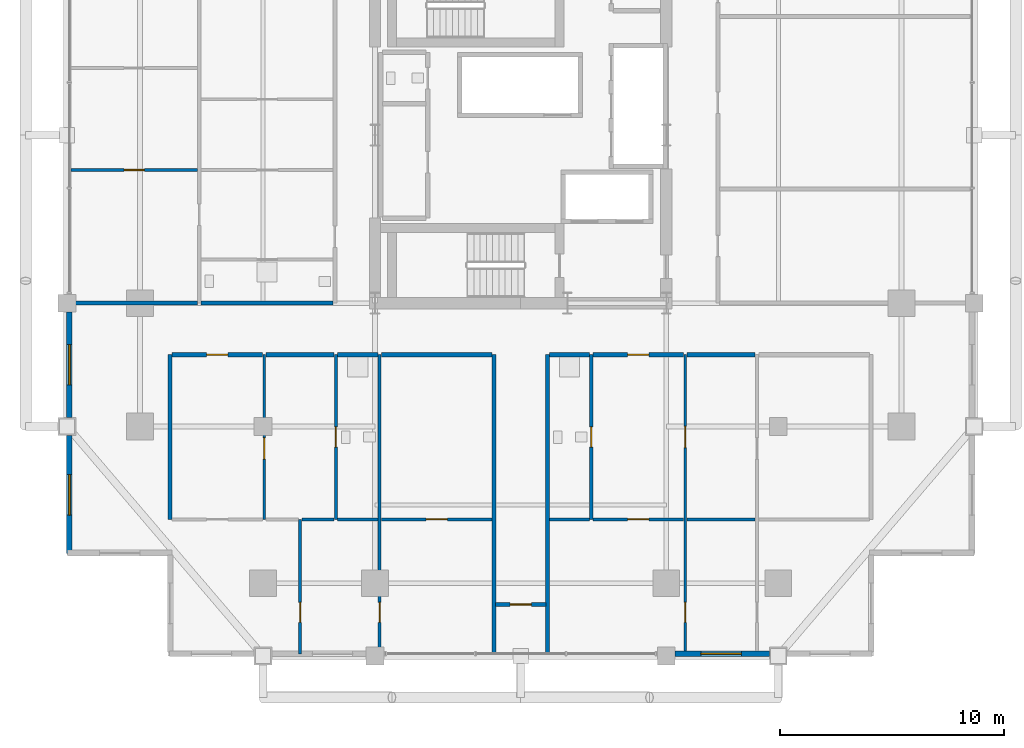
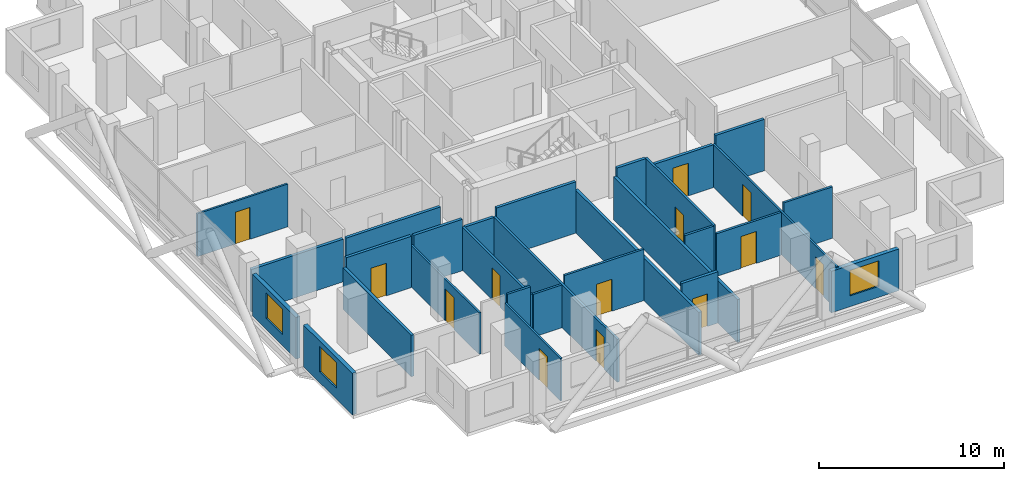
# One storey, part 19 of 25: 29 walls, 13 doors, 3 windows, 16 openings.
"""IFC4 building model written with IfcOpenShell, lengths in metres."""

from ifc_helpers import new_model, si_unit, direction, frame, frame_2d, origin, place, context, subcontext, project, spatial, rectangle, extrude, material, layer, layer_set, type_object, element, fill, save


model = new_model("IFC4")

# Units and contexts
model_context = context("Model", 3, precision=1e-05, world=origin(), true_north=direction((0.0, 1.0)))
body_context = subcontext(model_context, "Body", "Model", "MODEL_VIEW")
ifc_project = project(units=[si_unit("LENGTHUNIT", "METRE"), si_unit("AREAUNIT", "SQUARE_METRE"), si_unit("VOLUMEUNIT", "CUBIC_METRE"), si_unit("PLANEANGLEUNIT", "RADIAN"), si_unit("MASSUNIT", "GRAM", prefix="KILO")], contexts=[model_context])

# Site, building, storey
site_placement = place(None, origin())
site = spatial("IfcSite", under=ifc_project, at=site_placement, CompositionType="ELEMENT")
building_placement = place(site_placement, origin())
building = spatial("IfcBuilding", under=site, at=building_placement, Name="Barlavira Tower and Art Museum", CompositionType="ELEMENT")
storey_placement = place(building_placement, frame((0.0, 0.0, 133.199951171875)))
storey = spatial("IfcBuildingStorey", under=building, at=storey_placement, Name="L33", CompositionType="ELEMENT", Elevation=133.199951171875)

# Wall, opening, door
ifc_material_1 = material(Name="Gypsum acoustic stud partition", Category="gypsum")
ifc_layer_1 = layer(ifc_material_1, 0.1201171875, Name="Gypsum acoustic stud partition")
ifc_layer_set_1 = layer_set([ifc_layer_1], Name="Gypsum acoustic stud partition")
wall_type_1 = type_object("IfcWallType", Name="Apartment Internal Acoustic Partition 120", PredefinedType="PARTITIONING", material=ifc_layer_set_1)
wall_1_placement = place(storey_placement, frame((-11.449951171875, -17.14990234375, 0.0), z_axis=(0.0, 0.0, 1.0), x_axis=(0.0, 1.0, 0.0)))
wall_1 = element("IfcWall", 1, at=wall_1_placement, inside=storey, type_object=wall_type_1, Name="L33 Partition Wall 4", PredefinedType="PARTITIONING", context=body_context, shape_type="SweptSolid", body=[
    extrude(rectangle(XDim=7.349853515625, YDim=0.1201171875, at=frame_2d((3.6748046875, 0.0))), origin(), (0.0, 0.0, 1.0), 2.736083984375),
])
opening_1_placement = place(wall_1_placement, frame((2.686767578125, 0.0, 0.0)))
opening_1 = element("IfcOpeningElement", 2, at=opening_1_placement, cuts=wall_1, Name="Opening D-02", PredefinedType="OPENING", context=body_context, shape_type="SweptSolid", body=[
    extrude(rectangle(XDim=0.949951171875, YDim=2.10009765625, at=frame_2d((0.47509765625, 1.050048828125))), frame((0.0, 0.070068359375, 0.0), z_axis=(0.0, -1.0, 0.0), x_axis=(1.0, 0.0, 0.0)), (0.0, 0.0, 1.0), 0.14013671875),
])
ifc_material_2 = material(Name="Engineered coastal hardwood", Category="wood")
door_type_1 = type_object("IfcDoorType", Name="Living and Salon Glazed-Leaf Door 950x2100", OperationType="NOTDEFINED", PredefinedType="DOOR", material=ifc_material_2)
door_1_placement = place(opening_1_placement, origin())
door_1 = element("IfcDoor", 3, at=door_1_placement, inside=storey, type_object=door_type_1, Name="Apartment SW1 Kitchen Door", OperationType="SINGLE_SWING_LEFT", OverallHeight=2.10009765625, OverallWidth=0.949951171875, PredefinedType="DOOR", context=body_context, shape_type="SweptSolid", body=[
    extrude(rectangle(XDim=0.949951171875, YDim=2.10009765625, at=frame_2d((0.47509765625, 1.050048828125))), frame((0.0, 0.02490234375, 0.0), z_axis=(0.0, -1.0, 0.0), x_axis=(1.0, 0.0, 0.0)), (0.0, 0.0, 1.0), 0.050048828125),
])
fill(opening_1, door_1)

wall_2_placement = place(storey_placement, frame((-9.85009765625, -23.14990234375, 0.0), z_axis=(0.0, 0.0, 1.0), x_axis=(0.0, 1.0, 0.0)))
wall_2 = element("IfcWall", 4, at=wall_2_placement, inside=storey, type_object=wall_type_1, Name="L33 Partition Wall 6", PredefinedType="PARTITIONING", context=body_context, shape_type="SweptSolid", body=[
    extrude(rectangle(XDim=6.0, YDim=0.1201171875, at=frame_2d((3.0, 0.0))), origin(), (0.0, 0.0, 1.0), 2.816162109375),
])
opening_2_placement = place(wall_2_placement, frame((1.39892578125, 0.0, 0.0)))
opening_2 = element("IfcOpeningElement", 5, at=opening_2_placement, cuts=wall_2, Name="Opening D-01", PredefinedType="OPENING", context=body_context, shape_type="SweptSolid", body=[
    extrude(rectangle(XDim=0.89990234375, YDim=2.10009765625, at=frame_2d((0.449951171875, 1.050048828125))), frame((0.0, 0.070068359375, 0.0), z_axis=(0.0, -1.0, 0.0), x_axis=(1.0, 0.0, 0.0)), (0.0, 0.0, 1.0), 0.14013671875),
])
door_type_2 = type_object("IfcDoorType", Name="Internal Bedroom Timber Flush Door 900x2100", OperationType="NOTDEFINED", PredefinedType="DOOR", material=ifc_material_2)
door_2_placement = place(opening_2_placement, origin())
door_2 = element("IfcDoor", 6, at=door_2_placement, inside=storey, type_object=door_type_2, Name="Apartment SW1 Bedroom 1 Door", OperationType="SINGLE_SWING_LEFT", OverallHeight=2.10009765625, OverallWidth=0.89990234375, PredefinedType="DOOR", context=body_context, shape_type="SweptSolid", body=[
    extrude(rectangle(XDim=0.89990234375, YDim=2.10009765625, at=frame_2d((0.449951171875, 1.050048828125))), frame((0.0, 0.02490234375, 0.0), z_axis=(0.0, -1.0, 0.0), x_axis=(1.0, 0.0, 0.0)), (0.0, 0.0, 1.0), 0.050048828125),
])
fill(opening_2, door_2)

# Wall, openings, doors
wall_3_placement = place(storey_placement, frame((7.35009765625, -23.14990234375, 0.0), z_axis=(0.0, 0.0, 1.0), x_axis=(0.0, 1.0, 0.0)))
wall_3 = element("IfcWall", 7, at=wall_3_placement, inside=storey, type_object=wall_type_1, Name="L33 Partition Wall 22", PredefinedType="PARTITIONING", context=body_context, shape_type="SweptSolid", body=[
    extrude(rectangle(XDim=13.349853515625, YDim=0.1201171875, at=frame_2d((6.6748046875, 0.0))), origin(), (0.0, 0.0, 1.0), 2.816162109375),
])
opening_3_placement = place(wall_3_placement, frame((9.205078125, 0.0, 0.0)))
opening_3 = element("IfcOpeningElement", 8, at=opening_3_placement, cuts=wall_3, Name="Opening D-02", PredefinedType="OPENING", context=body_context, shape_type="SweptSolid", body=[
    extrude(rectangle(XDim=0.949951171875, YDim=2.10009765625, at=frame_2d((0.47509765625, 1.050048828125))), frame((0.0, 0.070068359375, 0.0), z_axis=(0.0, -1.0, 0.0), x_axis=(1.0, 0.0, 0.0)), (0.0, 0.0, 1.0), 0.14013671875),
])
opening_4_placement = place(wall_3_placement, frame((1.39892578125, 0.0, 0.0)))
opening_4 = element("IfcOpeningElement", 9, at=opening_4_placement, cuts=wall_3, Name="Opening D-01", PredefinedType="OPENING", context=body_context, shape_type="SweptSolid", body=[
    extrude(rectangle(XDim=0.89990234375, YDim=2.10009765625, at=frame_2d((0.449951171875, 1.050048828125))), frame((0.0, 0.070068359375, 0.0), z_axis=(0.0, -1.0, 0.0), x_axis=(1.0, 0.0, 0.0)), (0.0, 0.0, 1.0), 0.14013671875),
])
door_3_placement = place(opening_4_placement, origin())
door_3 = element("IfcDoor", 10, at=door_3_placement, inside=storey, type_object=door_type_2, Name="Apartment SE1 Bedroom 1 Door", OperationType="SINGLE_SWING_RIGHT", OverallHeight=2.10009765625, OverallWidth=0.89990234375, PredefinedType="DOOR", context=body_context, shape_type="SweptSolid", body=[
    extrude(rectangle(XDim=0.89990234375, YDim=2.10009765625, at=frame_2d((0.449951171875, 1.050048828125))), frame((0.0, 0.02490234375, 0.0), z_axis=(0.0, -1.0, 0.0), x_axis=(1.0, 0.0, 0.0)), (0.0, 0.0, 1.0), 0.050048828125),
])
fill(opening_4, door_3)
door_4_placement = place(opening_3_placement, origin())
door_4 = element("IfcDoor", 11, at=door_4_placement, inside=storey, type_object=door_type_1, Name="Apartment SE1 Kitchen Door", OperationType="SINGLE_SWING_LEFT", OverallHeight=2.10009765625, OverallWidth=0.949951171875, PredefinedType="DOOR", context=body_context, shape_type="SweptSolid", body=[
    extrude(rectangle(XDim=0.949951171875, YDim=2.10009765625, at=frame_2d((0.47509765625, 1.050048828125))), frame((0.0, 0.02490234375, 0.0), z_axis=(0.0, -1.0, 0.0), x_axis=(1.0, 0.0, 0.0)), (0.0, 0.0, 1.0), 0.050048828125),
])
fill(opening_3, door_4)

# Wall, opening, door
wall_4_placement = place(storey_placement, frame((-20.070068359375, -1.550048828125, 0.0), z_axis=(0.0, 0.0, 1.0), x_axis=(1.0, 0.0, 0.0)))
wall_4 = element("IfcWall", 12, at=wall_4_placement, inside=storey, type_object=wall_type_1, Name="L33 Partition Wall 53", PredefinedType="PARTITIONING", context=body_context, shape_type="SweptSolid", body=[
    extrude(rectangle(XDim=5.64013671875, YDim=0.1201171875, at=frame_2d((2.820068359375, 0.0))), origin(), (0.0, 0.0, 1.0), 2.816162109375),
])
opening_5_placement = place(wall_4_placement, frame((2.3701171875, 0.0, 0.0)))
opening_5 = element("IfcOpeningElement", 13, at=opening_5_placement, cuts=wall_4, Name="Opening D-01", PredefinedType="OPENING", context=body_context, shape_type="SweptSolid", body=[
    extrude(rectangle(XDim=0.89990234375, YDim=2.10009765625, at=frame_2d((0.449951171875, 1.050048828125))), frame((0.0, 0.070068359375, 0.0), z_axis=(0.0, -1.0, 0.0), x_axis=(1.0, 0.0, 0.0)), (0.0, 0.0, 1.0), 0.14013671875),
])
door_5_placement = place(opening_5_placement, origin())
door_5 = element("IfcDoor", 14, at=door_5_placement, inside=storey, type_object=door_type_2, Name="Apartment W1 Bedroom 1 Door", OperationType="SINGLE_SWING_RIGHT", OverallHeight=2.10009765625, OverallWidth=0.89990234375, PredefinedType="DOOR", context=body_context, shape_type="SweptSolid", body=[
    extrude(rectangle(XDim=0.89990234375, YDim=2.10009765625, at=frame_2d((0.449951171875, 1.050048828125))), frame((0.0, 0.02490234375, 0.0), z_axis=(0.0, -1.0, 0.0), x_axis=(1.0, 0.0, 0.0)), (0.0, 0.0, 1.0), 0.050048828125),
])
fill(opening_5, door_5)

# Walls
ifc_layer_2 = layer(ifc_material_1, 0.179931640625, Name="Gypsum acoustic stud partition")
ifc_layer_set_2 = layer_set([ifc_layer_2], Name="Gypsum acoustic stud partition")
wall_type_2 = type_object("IfcWallType", Name="Inter-Tenancy Party Partition Wall 180", PredefinedType="PARTITIONING", material=ifc_layer_set_2)
wall_5_placement = place(storey_placement, frame((-15.64990234375, -17.14990234375, 0.0), z_axis=(0.0, 0.0, 1.0), x_axis=(0.0, 1.0, 0.0)))
element("IfcWall", 15, at=wall_5_placement, inside=storey, type_object=wall_type_2, Name="L33 Partition Wall 1", PredefinedType="PARTITIONING", context=body_context, shape_type="SweptSolid", body=[
    extrude(rectangle(XDim=7.349853515625, YDim=0.179931640625, at=frame_2d((3.6748046875, 0.0))), origin(), (0.0, 0.0, 1.0), 2.736083984375),
])
for number, where, z_axis, x_axis, name in (
    (16, (-1.199951171875, -23.14990234375, 0.0), (0.0, 0.0, 1.0), (0.0, 1.0, 0.0), "L33 Partition Wall 15"),
    (17, (1.199951171875, -23.14990234375, 0.0), (0.0, 0.0, 1.0), (0.0, 1.0, 0.0), "L33 Partition Wall 17"),
):
    element("IfcWall", number, at=place(storey_placement, frame(where, z_axis=z_axis, x_axis=x_axis)), inside=storey, type_object=wall_type_2, Name=name, PredefinedType="PARTITIONING", context=body_context, shape_type="SweptSolid", body=[
        extrude(rectangle(XDim=13.349853515625, YDim=0.179931640625, at=frame_2d((6.6748046875, 0.0))), origin(), (0.0, 0.0, 1.0), 2.816162109375),
    ])

# Wall, opening, door
wall_6_placement = place(storey_placement, frame((-1.1201171875, -20.949951171875, 0.0), z_axis=(0.0, 0.0, 1.0), x_axis=(1.0, 0.0, 0.0)))
wall_6 = element("IfcWall", 18, at=wall_6_placement, inside=storey, type_object=wall_type_2, Name="L33 Partition Wall 29", PredefinedType="PARTITIONING", context=body_context, shape_type="SweptSolid", body=[
    extrude(rectangle(XDim=2.240234375, YDim=0.179931640625, at=frame_2d((1.1201171875, 0.0))), origin(), (0.0, 0.0, 1.0), 3.380126953125),
])
opening_6_placement = place(wall_6_placement, frame((0.64501953125, 0.0, 0.0)))
opening_6 = element("IfcOpeningElement", 19, at=opening_6_placement, cuts=wall_6, Name="Opening FD-60", PredefinedType="OPENING", context=body_context, shape_type="SweptSolid", body=[
    extrude(rectangle(XDim=0.949951171875, YDim=2.14990234375, at=frame_2d((0.47509765625, 1.074951171875))), frame((0.0, 0.10009765625, 0.0), z_axis=(0.0, -1.0, 0.0), x_axis=(1.0, 0.0, 0.0)), (0.0, 0.0, 1.0), 0.199951171875),
])
ifc_material_3 = material(Name="Brushed stainless steel", Category="steel")
door_type_3 = type_object("IfcDoorType", Name="Apartment Entrance and Riser Fire Door 950x2150 FD60S", OperationType="NOTDEFINED", PredefinedType="DOOR", material=ifc_material_3)
door_6_placement = place(opening_6_placement, origin())
door_6 = element("IfcDoor", 20, at=door_6_placement, inside=storey, type_object=door_type_3, Name="L33 South Horizon Reading Alcove Door", OperationType="SINGLE_SWING_LEFT", OverallHeight=2.14990234375, OverallWidth=0.949951171875, PredefinedType="DOOR", context=body_context, shape_type="SweptSolid", body=[
    extrude(rectangle(XDim=0.949951171875, YDim=2.14990234375, at=frame_2d((0.47509765625, 1.074951171875))), frame((0.0, 0.02490234375, 0.0), z_axis=(0.0, -1.0, 0.0), x_axis=(1.0, 0.0, 0.0)), (0.0, 0.0, 1.0), 0.050048828125),
])
fill(opening_6, door_6)

wall_7_placement = place(storey_placement, frame((-15.570068359375, -9.800048828125, 0.0), z_axis=(0.0, 0.0, 1.0), x_axis=(1.0, 0.0, 0.0)))
wall_7 = element("IfcWall", 21, at=wall_7_placement, inside=storey, type_object=wall_type_2, Name="L33 Partition Wall 39", PredefinedType="PARTITIONING", context=body_context, shape_type="SweptSolid", body=[
    extrude(rectangle(XDim=4.0400390625, YDim=0.179931640625, at=frame_2d((2.02001953125, 0.0))), origin(), (0.0, 0.0, 1.0), 3.380126953125),
])
opening_7_placement = place(wall_7_placement, frame((1.544921875, 0.0, 0.0)))
opening_7 = element("IfcOpeningElement", 22, at=opening_7_placement, cuts=wall_7, Name="Opening FD-60", PredefinedType="OPENING", context=body_context, shape_type="SweptSolid", body=[
    extrude(rectangle(XDim=0.949951171875, YDim=2.14990234375, at=frame_2d((0.47509765625, 1.074951171875))), frame((0.0, 0.10009765625, 0.0), z_axis=(0.0, -1.0, 0.0), x_axis=(1.0, 0.0, 0.0)), (0.0, 0.0, 1.0), 0.199951171875),
])
door_7_placement = place(opening_7_placement, origin())
door_7 = element("IfcDoor", 23, at=door_7_placement, inside=storey, type_object=door_type_3, Name="Apartment Entrance Hall SW1 Door", OperationType="SINGLE_SWING_RIGHT", OverallHeight=2.14990234375, OverallWidth=0.949951171875, PredefinedType="DOOR", context=body_context, shape_type="SweptSolid", body=[
    extrude(rectangle(XDim=0.949951171875, YDim=2.14990234375, at=frame_2d((0.47509765625, 1.074951171875))), frame((0.0, 0.02490234375, 0.0), z_axis=(0.0, -1.0, 0.0), x_axis=(1.0, 0.0, 0.0)), (0.0, 0.0, 1.0), 0.050048828125),
])
fill(opening_7, door_7)

# Walls
wall_8_placement = place(storey_placement, frame((-11.3701171875, -9.800048828125, 0.0), z_axis=(0.0, 0.0, 1.0), x_axis=(1.0, 0.0, 0.0)))
element("IfcWall", 24, at=wall_8_placement, inside=storey, type_object=wall_type_2, Name="L33 Partition Wall 40", PredefinedType="PARTITIONING", context=body_context, shape_type="SweptSolid", body=[
    extrude(rectangle(XDim=3.0400390625, YDim=0.179931640625, at=frame_2d((1.52001953125, 0.0))), origin(), (0.0, 0.0, 1.0), 3.380126953125),
])
wall_9_placement = place(storey_placement, frame((-8.169921875, -9.800048828125, 0.0), z_axis=(0.0, 0.0, 1.0), x_axis=(1.0, 0.0, 0.0)))
element("IfcWall", 25, at=wall_9_placement, inside=storey, type_object=wall_type_2, Name="L33 Partition Wall 41", PredefinedType="PARTITIONING", context=body_context, shape_type="SweptSolid", body=[
    extrude(rectangle(XDim=1.7900390625, YDim=0.179931640625, at=frame_2d((0.89501953125, 0.0))), origin(), (0.0, 0.0, 1.0), 2.816162109375),
])
wall_10_placement = place(storey_placement, frame((-6.219970703125, -9.800048828125, 0.0), z_axis=(0.0, 0.0, 1.0), x_axis=(1.0, 0.0, 0.0)))
element("IfcWall", 26, at=wall_10_placement, inside=storey, type_object=wall_type_2, Name="L33 Partition Wall 42", PredefinedType="PARTITIONING", context=body_context, shape_type="SweptSolid", body=[
    extrude(rectangle(XDim=4.93994140625, YDim=0.179931640625, at=frame_2d((2.469970703125, 0.0))), origin(), (0.0, 0.0, 1.0), 3.380126953125),
])
wall_11_placement = place(storey_placement, frame((1.280029296875, -9.800048828125, 0.0), z_axis=(0.0, 0.0, 1.0), x_axis=(1.0, 0.0, 0.0)))
element("IfcWall", 27, at=wall_11_placement, inside=storey, type_object=wall_type_2, Name="L33 Partition Wall 43", PredefinedType="PARTITIONING", context=body_context, shape_type="SweptSolid", body=[
    extrude(rectangle(XDim=1.7900390625, YDim=0.179931640625, at=frame_2d((0.89501953125, 0.0))), origin(), (0.0, 0.0, 1.0), 3.380126953125),
])

# Wall, opening, door
wall_12_placement = place(storey_placement, frame((3.22998046875, -9.800048828125, 0.0), z_axis=(0.0, 0.0, 1.0), x_axis=(1.0, 0.0, 0.0)))
wall_12 = element("IfcWall", 28, at=wall_12_placement, inside=storey, type_object=wall_type_2, Name="L33 Partition Wall 44", PredefinedType="PARTITIONING", context=body_context, shape_type="SweptSolid", body=[
    extrude(rectangle(XDim=4.0400390625, YDim=0.179931640625, at=frame_2d((2.02001953125, 0.0))), origin(), (0.0, 0.0, 1.0), 2.816162109375),
])
opening_8_placement = place(wall_12_placement, frame((1.544921875, 0.0, 0.0)))
opening_8 = element("IfcOpeningElement", 29, at=opening_8_placement, cuts=wall_12, Name="Opening FD-60", PredefinedType="OPENING", context=body_context, shape_type="SweptSolid", body=[
    extrude(rectangle(XDim=0.949951171875, YDim=2.14990234375, at=frame_2d((0.47509765625, 1.074951171875))), frame((0.0, 0.10009765625, 0.0), z_axis=(0.0, -1.0, 0.0), x_axis=(1.0, 0.0, 0.0)), (0.0, 0.0, 1.0), 0.199951171875),
])
door_8_placement = place(opening_8_placement, origin())
door_8 = element("IfcDoor", 30, at=door_8_placement, inside=storey, type_object=door_type_3, Name="Apartment Entrance Hall SE1 Door", OperationType="SINGLE_SWING_RIGHT", OverallHeight=2.14990234375, OverallWidth=0.949951171875, PredefinedType="DOOR", context=body_context, shape_type="SweptSolid", body=[
    extrude(rectangle(XDim=0.949951171875, YDim=2.14990234375, at=frame_2d((0.47509765625, 1.074951171875))), frame((0.0, 0.02490234375, 0.0), z_axis=(0.0, -1.0, 0.0), x_axis=(1.0, 0.0, 0.0)), (0.0, 0.0, 1.0), 0.050048828125),
])
fill(opening_8, door_8)

# Walls
wall_13_placement = place(storey_placement, frame((7.429931640625, -9.800048828125, 0.0), z_axis=(0.0, 0.0, 1.0), x_axis=(1.0, 0.0, 0.0)))
element("IfcWall", 31, at=wall_13_placement, inside=storey, type_object=wall_type_2, Name="L33 Partition Wall 45", PredefinedType="PARTITIONING", context=body_context, shape_type="SweptSolid", body=[
    extrude(rectangle(XDim=3.0400390625, YDim=0.179931640625, at=frame_2d((1.52001953125, 0.0))), origin(), (0.0, 0.0, 1.0), 3.380126953125),
])
wall_14_placement = place(storey_placement, frame((-20.14990234375, -7.5, 0.0), z_axis=(0.0, 0.0, 1.0), x_axis=(1.0, 0.0, 0.0)))
element("IfcWall", 32, at=wall_14_placement, inside=storey, type_object=wall_type_2, Name="L33 Partition Wall 47", PredefinedType="PARTITIONING", context=body_context, shape_type="SweptSolid", body=[
    extrude(rectangle(XDim=5.719970703125, YDim=0.179931640625, at=frame_2d((2.85986328125, 0.0))), origin(), (0.0, 0.0, 1.0), 2.816162109375),
])
wall_15_placement = place(storey_placement, frame((-14.27001953125, -7.5, 0.0), z_axis=(0.0, 0.0, 1.0), x_axis=(1.0, 0.0, 0.0)))
element("IfcWall", 33, at=wall_15_placement, inside=storey, type_object=wall_type_2, Name="L33 Partition Wall 48", PredefinedType="PARTITIONING", context=body_context, shape_type="SweptSolid", body=[
    extrude(rectangle(XDim=5.89013671875, YDim=0.179931640625, at=frame_2d((2.945068359375, 0.0))), origin(), (0.0, 0.0, 1.0), 2.816162109375),
])

# Wall, opening, door
ifc_layer_3 = layer(ifc_material_1, 0.139892578125, Name="Gypsum acoustic stud partition")
ifc_layer_set_3 = layer_set([ifc_layer_3], Name="Gypsum acoustic stud partition")
wall_type_3 = type_object("IfcWallType", Name="Moisture-Resistant Bathroom Partition 140", PredefinedType="PARTITIONING", material=ifc_layer_set_3)
wall_16_placement = place(storey_placement, frame((-8.25, -17.14990234375, 0.0), z_axis=(0.0, 0.0, 1.0), x_axis=(0.0, 1.0, 0.0)))
wall_16 = element("IfcWall", 34, at=wall_16_placement, inside=storey, type_object=wall_type_3, Name="L33 Partition Wall 9", PredefinedType="PARTITIONING", context=body_context, shape_type="SweptSolid", body=[
    extrude(rectangle(XDim=7.349853515625, YDim=0.139892578125, at=frame_2d((3.6748046875, 0.0))), origin(), (0.0, 0.0, 1.0), 2.816162109375),
])
opening_9_placement = place(wall_16_placement, frame((3.22998046875, 0.0, 0.0)))
opening_9 = element("IfcOpeningElement", 35, at=opening_9_placement, cuts=wall_16, Name="Opening D-WC", PredefinedType="OPENING", context=body_context, shape_type="SweptSolid", body=[
    extrude(rectangle(XDim=0.89990234375, YDim=2.10009765625, at=frame_2d((0.449951171875, 1.050048828125))), frame((0.0, 0.080078125, 0.0), z_axis=(0.0, -1.0, 0.0), x_axis=(1.0, 0.0, 0.0)), (0.0, 0.0, 1.0), 0.159912109375),
])
door_type_4 = type_object("IfcDoorType", Name="Accessible Bathroom Flush Door 900x2100", OperationType="NOTDEFINED", PredefinedType="DOOR", material=ifc_material_2)
door_9_placement = place(opening_9_placement, origin())
door_9 = element("IfcDoor", 36, at=door_9_placement, inside=storey, type_object=door_type_4, Name="Apartment SW1 Hall Bathroom Door", OperationType="SINGLE_SWING_RIGHT", OverallHeight=2.10009765625, OverallWidth=0.89990234375, PredefinedType="DOOR", context=body_context, shape_type="SweptSolid", body=[
    extrude(rectangle(XDim=0.89990234375, YDim=2.10009765625, at=frame_2d((0.449951171875, 1.050048828125))), frame((0.0, 0.02490234375, 0.0), z_axis=(0.0, -1.0, 0.0), x_axis=(1.0, 0.0, 0.0)), (0.0, 0.0, 1.0), 0.050048828125),
])
fill(opening_9, door_9)

wall_17_placement = place(storey_placement, frame((-6.300048828125, -23.14990234375, 0.0), z_axis=(0.0, 0.0, 1.0), x_axis=(0.0, 1.0, 0.0)))
wall_17 = element("IfcWall", 37, at=wall_17_placement, inside=storey, type_object=wall_type_3, Name="L33 Partition Wall 11", PredefinedType="PARTITIONING", context=body_context, shape_type="SweptSolid", body=[
    extrude(rectangle(XDim=13.349853515625, YDim=0.139892578125, at=frame_2d((6.6748046875, 0.0))), origin(), (0.0, 0.0, 1.0), 2.816162109375),
])
opening_10_placement = place(wall_17_placement, frame((1.39892578125, 0.0, 0.0)))
opening_10 = element("IfcOpeningElement", 38, at=opening_10_placement, cuts=wall_17, Name="Opening D-01", PredefinedType="OPENING", context=body_context, shape_type="SweptSolid", body=[
    extrude(rectangle(XDim=0.89990234375, YDim=2.10009765625, at=frame_2d((0.449951171875, 1.050048828125))), frame((0.0, 0.080078125, 0.0), z_axis=(0.0, -1.0, 0.0), x_axis=(1.0, 0.0, 0.0)), (0.0, 0.0, 1.0), 0.159912109375),
])
door_10_placement = place(opening_10_placement, origin())
door_10 = element("IfcDoor", 39, at=door_10_placement, inside=storey, type_object=door_type_2, Name="Apartment SW1 Bedroom 2 Door", OperationType="SINGLE_SWING_RIGHT", OverallHeight=2.10009765625, OverallWidth=0.89990234375, PredefinedType="DOOR", context=body_context, shape_type="SweptSolid", body=[
    extrude(rectangle(XDim=0.89990234375, YDim=2.10009765625, at=frame_2d((0.449951171875, 1.050048828125))), frame((0.0, 0.02490234375, 0.0), z_axis=(0.0, -1.0, 0.0), x_axis=(1.0, 0.0, 0.0)), (0.0, 0.0, 1.0), 0.050048828125),
])
fill(opening_10, door_10)

wall_18_placement = place(storey_placement, frame((3.14990234375, -17.14990234375, 0.0), z_axis=(0.0, 0.0, 1.0), x_axis=(0.0, 1.0, 0.0)))
wall_18 = element("IfcWall", 40, at=wall_18_placement, inside=storey, type_object=wall_type_3, Name="L33 Partition Wall 19", PredefinedType="PARTITIONING", context=body_context, shape_type="SweptSolid", body=[
    extrude(rectangle(XDim=7.349853515625, YDim=0.139892578125, at=frame_2d((3.6748046875, 0.0))), origin(), (0.0, 0.0, 1.0), 3.380126953125),
])
opening_11_placement = place(wall_18_placement, frame((3.22998046875, 0.0, 0.0)))
opening_11 = element("IfcOpeningElement", 41, at=opening_11_placement, cuts=wall_18, Name="Opening D-WC", PredefinedType="OPENING", context=body_context, shape_type="SweptSolid", body=[
    extrude(rectangle(XDim=0.89990234375, YDim=2.10009765625, at=frame_2d((0.449951171875, 1.050048828125))), frame((0.0, 0.080078125, 0.0), z_axis=(0.0, -1.0, 0.0), x_axis=(1.0, 0.0, 0.0)), (0.0, 0.0, 1.0), 0.159912109375),
])
door_11_placement = place(opening_11_placement, origin())
door_11 = element("IfcDoor", 42, at=door_11_placement, inside=storey, type_object=door_type_4, Name="Apartment SE1 Hall Bathroom Door", OperationType="SINGLE_SWING_LEFT", OverallHeight=2.10009765625, OverallWidth=0.89990234375, PredefinedType="DOOR", context=body_context, shape_type="SweptSolid", body=[
    extrude(rectangle(XDim=0.89990234375, YDim=2.10009765625, at=frame_2d((0.449951171875, 1.050048828125))), frame((0.0, 0.02490234375, 0.0), z_axis=(0.0, -1.0, 0.0), x_axis=(1.0, 0.0, 0.0)), (0.0, 0.0, 1.0), 0.050048828125),
])
fill(opening_11, door_11)

# Walls
wall_19_placement = place(storey_placement, frame((-9.77001953125, -17.14990234375, 0.0), z_axis=(0.0, 0.0, 1.0), x_axis=(1.0, 0.0, 0.0)))
element("IfcWall", 43, at=wall_19_placement, inside=storey, type_object=wall_type_3, Name="L33 Partition Wall 32", PredefinedType="PARTITIONING", context=body_context, shape_type="SweptSolid", body=[
    extrude(rectangle(XDim=1.43994140625, YDim=0.139892578125, at=frame_2d((0.719970703125, 0.0))), origin(), (0.0, 0.0, 1.0), 3.380126953125),
])
wall_20_placement = place(storey_placement, frame((-8.169921875, -17.14990234375, 0.0), z_axis=(0.0, 0.0, 1.0), x_axis=(1.0, 0.0, 0.0)))
element("IfcWall", 44, at=wall_20_placement, inside=storey, type_object=wall_type_3, Name="L33 Partition Wall 33", PredefinedType="PARTITIONING", context=body_context, shape_type="SweptSolid", body=[
    extrude(rectangle(XDim=1.7900390625, YDim=0.139892578125, at=frame_2d((0.89501953125, 0.0))), origin(), (0.0, 0.0, 1.0), 2.816162109375),
])

# Wall, opening, door
wall_21_placement = place(storey_placement, frame((-6.219970703125, -17.14990234375, 0.0), z_axis=(0.0, 0.0, 1.0), x_axis=(1.0, 0.0, 0.0)))
wall_21 = element("IfcWall", 45, at=wall_21_placement, inside=storey, type_object=wall_type_3, Name="L33 Partition Wall 34", PredefinedType="PARTITIONING", context=body_context, shape_type="SweptSolid", body=[
    extrude(rectangle(XDim=4.93994140625, YDim=0.139892578125, at=frame_2d((2.469970703125, 0.0))), origin(), (0.0, 0.0, 1.0), 3.380126953125),
])
opening_12_placement = place(wall_21_placement, frame((1.9951171875, 0.0, 0.0)))
opening_12 = element("IfcOpeningElement", 46, at=opening_12_placement, cuts=wall_21, Name="Opening D-02", PredefinedType="OPENING", context=body_context, shape_type="SweptSolid", body=[
    extrude(rectangle(XDim=0.949951171875, YDim=2.10009765625, at=frame_2d((0.47509765625, 1.050048828125))), frame((0.0, 0.080078125, 0.0), z_axis=(0.0, -1.0, 0.0), x_axis=(1.0, 0.0, 0.0)), (0.0, 0.0, 1.0), 0.159912109375),
])
door_12_placement = place(opening_12_placement, origin())
door_12 = element("IfcDoor", 47, at=door_12_placement, inside=storey, type_object=door_type_1, Name="Apartment SW1 Dining Salon Door", OperationType="SINGLE_SWING_LEFT", OverallHeight=2.10009765625, OverallWidth=0.949951171875, PredefinedType="DOOR", context=body_context, shape_type="SweptSolid", body=[
    extrude(rectangle(XDim=0.949951171875, YDim=2.10009765625, at=frame_2d((0.47509765625, 1.050048828125))), frame((0.0, 0.02490234375, 0.0), z_axis=(0.0, -1.0, 0.0), x_axis=(1.0, 0.0, 0.0)), (0.0, 0.0, 1.0), 0.050048828125),
])
fill(opening_12, door_12)

# Wall
wall_22_placement = place(storey_placement, frame((1.280029296875, -17.14990234375, 0.0), z_axis=(0.0, 0.0, 1.0), x_axis=(1.0, 0.0, 0.0)))
element("IfcWall", 48, at=wall_22_placement, inside=storey, type_object=wall_type_3, Name="L33 Partition Wall 35", PredefinedType="PARTITIONING", context=body_context, shape_type="SweptSolid", body=[
    extrude(rectangle(XDim=1.7900390625, YDim=0.139892578125, at=frame_2d((0.89501953125, 0.0))), origin(), (0.0, 0.0, 1.0), 3.380126953125),
])

# Wall, opening, door
wall_23_placement = place(storey_placement, frame((3.22998046875, -17.14990234375, 0.0), z_axis=(0.0, 0.0, 1.0), x_axis=(1.0, 0.0, 0.0)))
wall_23 = element("IfcWall", 49, at=wall_23_placement, inside=storey, type_object=wall_type_3, Name="L33 Partition Wall 36", PredefinedType="PARTITIONING", context=body_context, shape_type="SweptSolid", body=[
    extrude(rectangle(XDim=4.0400390625, YDim=0.139892578125, at=frame_2d((2.02001953125, 0.0))), origin(), (0.0, 0.0, 1.0), 2.816162109375),
])
opening_13_placement = place(wall_23_placement, frame((1.544921875, 0.0, 0.0)))
opening_13 = element("IfcOpeningElement", 50, at=opening_13_placement, cuts=wall_23, Name="Opening D-02", PredefinedType="OPENING", context=body_context, shape_type="SweptSolid", body=[
    extrude(rectangle(XDim=0.949951171875, YDim=2.10009765625, at=frame_2d((0.47509765625, 1.050048828125))), frame((0.0, 0.080078125, 0.0), z_axis=(0.0, -1.0, 0.0), x_axis=(1.0, 0.0, 0.0)), (0.0, 0.0, 1.0), 0.159912109375),
])
door_13_placement = place(opening_13_placement, origin())
door_13 = element("IfcDoor", 51, at=door_13_placement, inside=storey, type_object=door_type_1, Name="Apartment SE1 Living Lounge Door", OperationType="SINGLE_SWING_LEFT", OverallHeight=2.10009765625, OverallWidth=0.949951171875, PredefinedType="DOOR", context=body_context, shape_type="SweptSolid", body=[
    extrude(rectangle(XDim=0.949951171875, YDim=2.10009765625, at=frame_2d((0.47509765625, 1.050048828125))), frame((0.0, 0.02490234375, 0.0), z_axis=(0.0, -1.0, 0.0), x_axis=(1.0, 0.0, 0.0)), (0.0, 0.0, 1.0), 0.050048828125),
])
fill(opening_13, door_13)

# Wall
wall_24_placement = place(storey_placement, frame((7.429931640625, -17.14990234375, 0.0), z_axis=(0.0, 0.0, 1.0), x_axis=(1.0, 0.0, 0.0)))
element("IfcWall", 52, at=wall_24_placement, inside=storey, type_object=wall_type_3, Name="L33 Partition Wall 37", PredefinedType="PARTITIONING", context=body_context, shape_type="SweptSolid", body=[
    extrude(rectangle(XDim=3.0400390625, YDim=0.139892578125, at=frame_2d((1.52001953125, 0.0))), origin(), (0.0, 0.0, 1.0), 3.380126953125),
])

# Wall, opening, window
ifc_material_4 = material(Name="Precast concrete C40", Category="concrete")
ifc_layer_4 = layer(ifc_material_4, 0.25, Name="Precast concrete C40")
ifc_layer_set_4 = layer_set([ifc_layer_4], Name="Precast concrete C40")
wall_type_4 = type_object("IfcWallType", Name="Notched Corner Spandrel Wall 250 Precast Concrete C40", PredefinedType="SOLIDWALL", material=ifc_layer_set_4)
wall_25_placement = place(storey_placement, frame((6.89501953125, -23.14990234375, 0.0), z_axis=(0.0, 0.0, 1.0), x_axis=(1.0, 0.0, 0.0)))
wall_25 = element("IfcWall", 53, at=wall_25_placement, inside=storey, type_object=wall_type_4, Name="L33 Coastal Facade Pier Wall CW2-L33-S-4", PredefinedType="SOLIDWALL", context=body_context, shape_type="SweptSolid", body=[
    extrude(rectangle(XDim=4.2099609375, YDim=0.25, at=frame_2d((2.10498046875, 0.0))), origin(), (0.0, 0.0, 1.0), 2.736083984375),
])
opening_14_placement = place(wall_25_placement, frame((1.155029296875, 0.0, 0.719970703125)))
opening_14 = element("IfcOpeningElement", 54, at=opening_14_placement, cuts=wall_25, Name="Opening WN-01", PredefinedType="OPENING", context=body_context, shape_type="SweptSolid", body=[
    extrude(rectangle(XDim=1.800048828125, YDim=1.679931640625, at=frame_2d((0.89990234375, 0.83984375))), frame((0.0, 0.135009765625, 0.0), z_axis=(0.0, -1.0, 0.0), x_axis=(1.0, 0.0, 0.0)), (0.0, 0.0, 1.0), 0.27001953125),
])
ifc_material_5 = material(Name="Low-iron coastal laminated glass", Category="glass")
window_type = type_object("IfcWindowType", Name="Recessed Notch Corner Punch Window 1800x1680", PartitioningType="SINGLE_PANEL", PredefinedType="WINDOW", material=ifc_material_5)
window_1_placement = place(opening_14_placement, origin())
window_1 = element("IfcWindow", 55, at=window_1_placement, inside=storey, type_object=window_type, Name="L33 Punched Facade Window EWP-CW2-L33-S-4-1", OverallHeight=1.679931640625, OverallWidth=1.800048828125, PartitioningType="SINGLE_PANEL", PredefinedType="WINDOW", context=body_context, shape_type="SweptSolid", body=[
    extrude(rectangle(XDim=1.800048828125, YDim=1.679931640625, at=frame_2d((0.89990234375, 0.83984375))), frame((0.0, 0.030029296875, 0.0), z_axis=(0.0, -1.0, 0.0), x_axis=(1.0, 0.0, 0.0)), (0.0, 0.0, 1.0), 0.06005859375),
])
fill(opening_14, window_1)

wall_26_placement = place(storey_placement, frame((-20.14990234375, -7.89501953125, 0.0), z_axis=(0.0, 0.0, 1.0), x_axis=(0.0, -1.0, 0.0)))
wall_26 = element("IfcWall", 56, at=wall_26_placement, inside=storey, type_object=wall_type_4, Name="L33 Coastal Facade Pier Wall CW2-L33-W-4", PredefinedType="SOLIDWALL", context=body_context, shape_type="SweptSolid", body=[
    extrude(rectangle(XDim=4.7099609375, YDim=0.25, at=frame_2d((2.35498046875, 0.0))), origin(), (0.0, 0.0, 1.0), 2.736083984375),
])
opening_15_placement = place(wall_26_placement, frame((1.455078125, 0.0, 0.719970703125)))
opening_15 = element("IfcOpeningElement", 57, at=opening_15_placement, cuts=wall_26, Name="Opening WN-01", PredefinedType="OPENING", context=body_context, shape_type="SweptSolid", body=[
    extrude(rectangle(XDim=1.800048828125, YDim=1.679931640625, at=frame_2d((0.89990234375, 0.83984375))), frame((0.0, 0.135009765625, 0.0), z_axis=(0.0, -1.0, 0.0), x_axis=(1.0, 0.0, 0.0)), (0.0, 0.0, 1.0), 0.27001953125),
])
window_2_placement = place(opening_15_placement, origin())
window_2 = element("IfcWindow", 58, at=window_2_placement, inside=storey, type_object=window_type, Name="L33 Punched Facade Window EWP-CW2-L33-W-4-1", OverallHeight=1.679931640625, OverallWidth=1.800048828125, PartitioningType="SINGLE_PANEL", PredefinedType="WINDOW", context=body_context, shape_type="SweptSolid", body=[
    extrude(rectangle(XDim=1.800048828125, YDim=1.679931640625, at=frame_2d((0.89990234375, 0.83984375))), frame((0.0, 0.030029296875, 0.0), z_axis=(0.0, -1.0, 0.0), x_axis=(1.0, 0.0, 0.0)), (0.0, 0.0, 1.0), 0.06005859375),
])
fill(opening_15, window_2)

wall_27_placement = place(storey_placement, frame((-20.14990234375, -13.39501953125, 0.0), z_axis=(0.0, 0.0, 1.0), x_axis=(0.0, -1.0, 0.0)))
wall_27 = element("IfcWall", 59, at=wall_27_placement, inside=storey, type_object=wall_type_4, Name="L33 Coastal Facade Pier Wall CW2-L33-W-5", PredefinedType="SOLIDWALL", context=body_context, shape_type="SweptSolid", body=[
    extrude(rectangle(XDim=5.280029296875, YDim=0.25, at=frame_2d((2.64013671875, 0.0))), origin(), (0.0, 0.0, 1.0), 2.736083984375),
])
opening_16_placement = place(wall_27_placement, frame((1.762939453125, 0.0, 0.719970703125)))
opening_16 = element("IfcOpeningElement", 60, at=opening_16_placement, cuts=wall_27, Name="Opening WN-01", PredefinedType="OPENING", context=body_context, shape_type="SweptSolid", body=[
    extrude(rectangle(XDim=1.800048828125, YDim=1.679931640625, at=frame_2d((0.89990234375, 0.83984375))), frame((0.0, 0.135009765625, 0.0), z_axis=(0.0, -1.0, 0.0), x_axis=(1.0, 0.0, 0.0)), (0.0, 0.0, 1.0), 0.27001953125),
])
window_3_placement = place(opening_16_placement, origin())
window_3 = element("IfcWindow", 61, at=window_3_placement, inside=storey, type_object=window_type, Name="L33 Punched Facade Window EWP-CW2-L33-W-5-1", OverallHeight=1.679931640625, OverallWidth=1.800048828125, PartitioningType="SINGLE_PANEL", PredefinedType="WINDOW", context=body_context, shape_type="SweptSolid", body=[
    extrude(rectangle(XDim=1.800048828125, YDim=1.679931640625, at=frame_2d((0.89990234375, 0.83984375))), frame((0.0, 0.030029296875, 0.0), z_axis=(0.0, -1.0, 0.0), x_axis=(1.0, 0.0, 0.0)), (0.0, 0.0, 1.0), 0.06005859375),
])
fill(opening_16, window_3)

save(model, "model.ifc")
